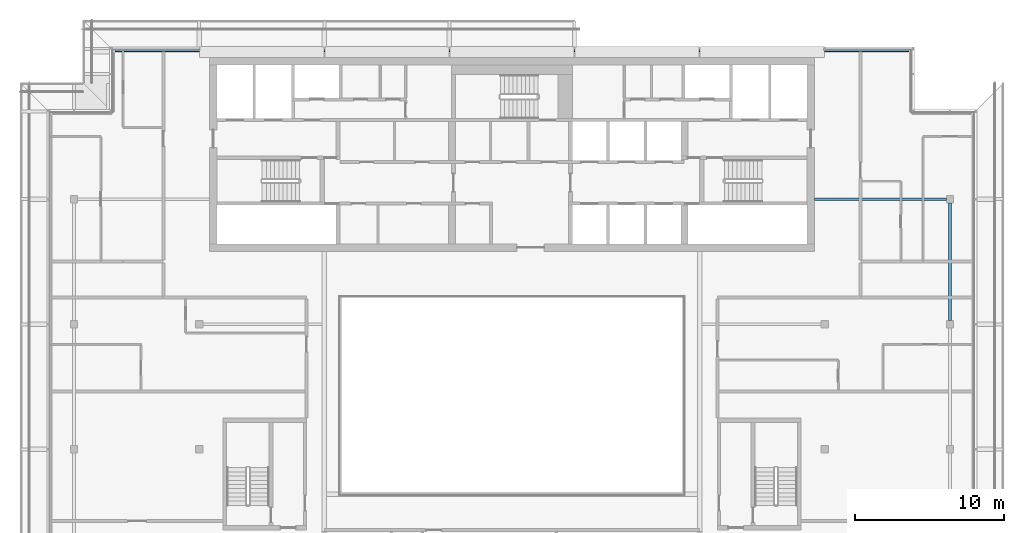
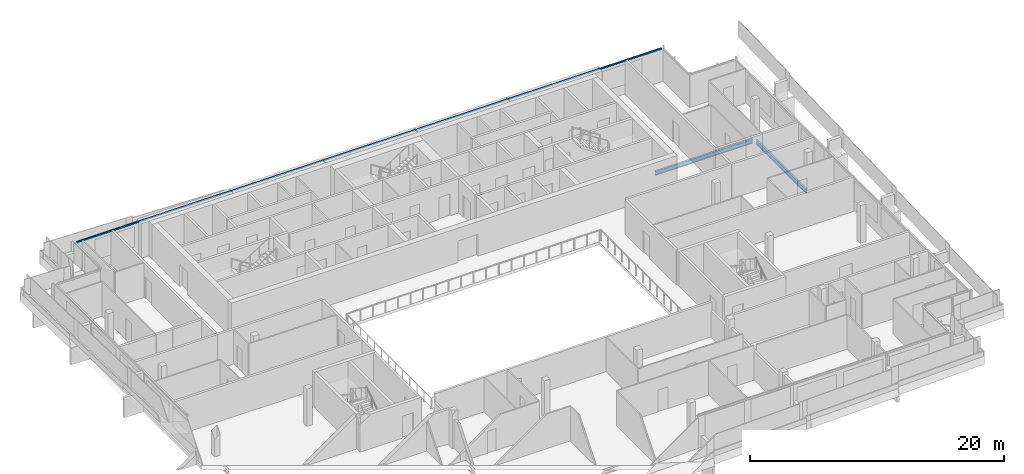
# One storey, part 9 of 26: 2 beams, 1 member, 1 element without a shape of its own.
"""IFC4 building model written with IfcOpenShell, lengths in metres."""

from ifc_helpers import new_model, si_unit, direction, frame, origin, origin_2d, place, context, subcontext, project, spatial, rectangle, i_section, extrude, material, material_profile, profile_set, type_object, element, aggregate, save


model = new_model("IFC4")

# Units and contexts
model_context = context("Model", 3, precision=1e-05, world=origin(), true_north=direction((0.0, 1.0)))
body_context = subcontext(model_context, "Body", "Model", "MODEL_VIEW")
ifc_project = project(units=[si_unit("LENGTHUNIT", "METRE"), si_unit("AREAUNIT", "SQUARE_METRE"), si_unit("VOLUMEUNIT", "CUBIC_METRE"), si_unit("PLANEANGLEUNIT", "RADIAN"), si_unit("MASSUNIT", "GRAM", prefix="KILO")], contexts=[model_context])

# Site, building, storey
site_placement = place(None, origin())
site = spatial("IfcSite", under=ifc_project, at=site_placement, CompositionType="ELEMENT")
building_placement = place(site_placement, origin())
building = spatial("IfcBuilding", under=site, at=building_placement, Name="Saffron Gate Tower", CompositionType="ELEMENT")
storey_placement = place(building_placement, frame((0.0, 0.0, 277.949951171875)))
storey = spatial("IfcBuildingStorey", under=building, at=storey_placement, Name="L67", CompositionType="ELEMENT", Elevation=277.949951171875)

# Beams
ifc_material_1 = material(Name="Structural steel S355", Category="steel")
ifc_material_profile_1 = material_profile(ifc_material_1, i_section(OverallWidth=0.179931640625, OverallDepth=0.39990234375, WebThickness=0.008544921875, FlangeThickness=0.013427734375, FilletRadius=0.02099609375, at=origin_2d()))
ifc_profile_set_1 = profile_set([ifc_material_profile_1], Name="Structural steel S355")
beam_type_1 = type_object("IfcBeamType", Name="B4 IPE 400", PredefinedType="BEAM", material=ifc_profile_set_1)
beam_1_placement = place(storey_placement, frame((116.75, 65.39990234375, -0.47998046875), z_axis=(-1.0, 0.0, 0.0), x_axis=(0.0, -1.0, 0.0)))
element("IfcBeam", 1, at=beam_1_placement, inside=storey, type_object=beam_type_1, Name="B4 CORE TIE BEAM", PredefinedType="BEAM", context=body_context, shape_type="SweptSolid", body=[
    extrude(i_section(OverallWidth=0.179931640625, OverallDepth=0.39990234375, WebThickness=0.008544921875, FlangeThickness=0.013427734375, FilletRadius=0.02099609375, at=origin_2d()), origin(), (0.0, 0.0, 1.0), 8.85009765625),
])
ifc_material_profile_2 = material_profile(ifc_material_1, i_section(OverallWidth=0.179931640625, OverallDepth=0.39990234375, WebThickness=0.008544921875, FlangeThickness=0.013427734375, FilletRadius=0.02099609375, at=origin_2d()))
ifc_profile_set_2 = profile_set([ifc_material_profile_2], Name="Structural steel S355")
beam_type_2 = type_object("IfcBeamType", Name="B5 IPE 400", PredefinedType="SPANDREL", material=ifc_profile_set_2)
beam_2_placement = place(storey_placement, frame((117.0, 57.25, -0.47998046875), z_axis=(0.0, 1.0, 0.0), x_axis=(-1.0, 0.0, 0.0)))
element("IfcBeam", 2, at=beam_2_placement, inside=storey, type_object=beam_type_2, Name="B5 SPANDREL BEAM", PredefinedType="SPANDREL", context=body_context, shape_type="SweptSolid", body=[
    extrude(i_section(OverallWidth=0.179931640625, OverallDepth=0.39990234375, WebThickness=0.008544921875, FlangeThickness=0.013427734375, FilletRadius=0.02099609375, at=origin_2d()), origin(), (0.0, 0.0, 1.0), 7.89990234375),
])

# Curtain wall, member
ifc_material_2 = material(Name="Aluminium, bronze anodised", Category="aluminium")
curtain_wall_type = type_object("IfcCurtainWallType", Name="CWS3 curtain wall rear facade", PredefinedType="NOTDEFINED", material=ifc_material_2)
curtain_wall_placement = place(storey_placement, origin())
curtain_wall = element("IfcCurtainWall", 3, at=curtain_wall_placement, inside=storey, type_object=curtain_wall_type, Name="CWS3 run 7", PredefinedType="NOTDEFINED")
ifc_material_profile_3 = material_profile(ifc_material_2, rectangle(XDim=0.1201171875, YDim=0.1201171875, at=origin_2d()))
ifc_profile_set_3 = profile_set([ifc_material_profile_3], Name="Aluminium, bronze anodised")
member_type = type_object("IfcMemberType", Name="CWS3 head transom", PredefinedType="USERDEFINED", material=ifc_profile_set_3)
member_placement = place(storey_placement, frame((114.23193359375, 75.35205078125, 3.260009765625), z_axis=(-1.0, 0.0, 0.0), x_axis=(0.0, -1.0, 0.0)))
member = element("IfcMember", 4, at=member_placement, type_object=member_type, Name="CWS3 head transom", ObjectType="TRANSOM", PredefinedType="USERDEFINED", context=body_context, shape_type="SweptSolid", body=[
    extrude(rectangle(XDim=0.1201171875, YDim=0.1201171875, at=origin_2d()), origin(), (0.0, 0.0, 1.0), 53.263916015625),
])
aggregate(curtain_wall, [member])

save(model, "model.ifc")
